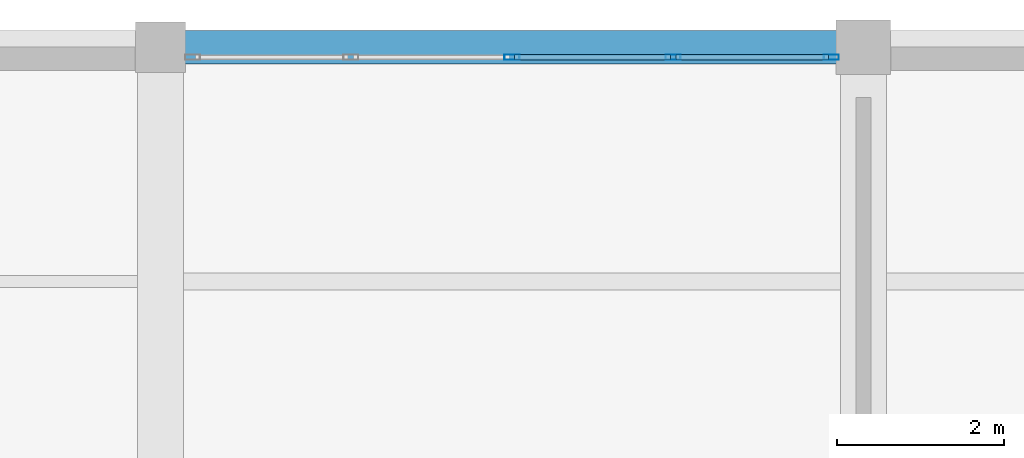
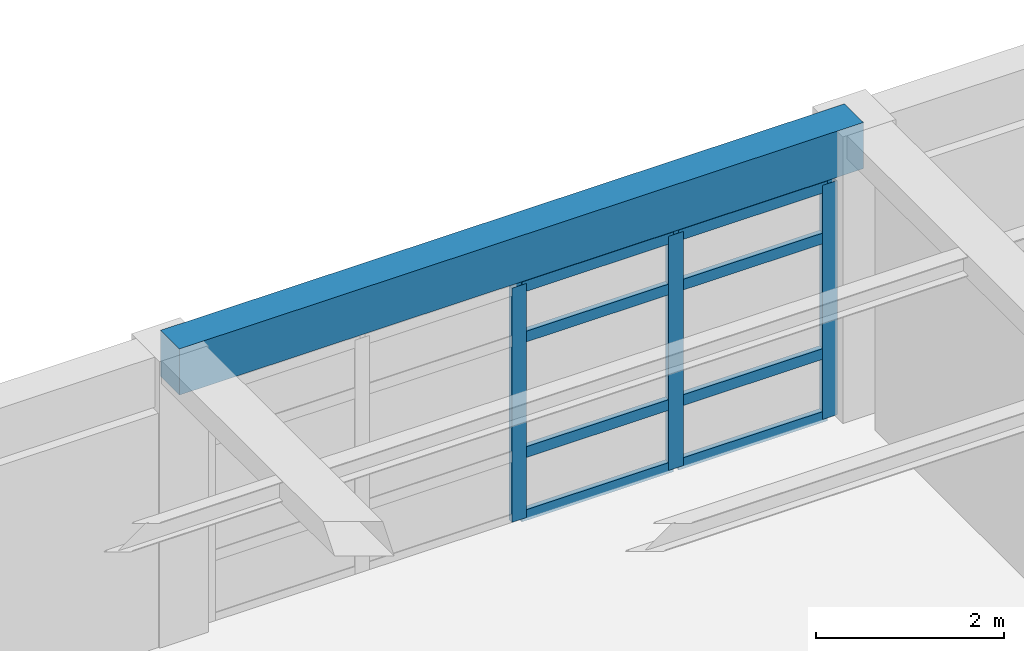
# One storey, part 17 of 25: 11 members, 1 beam, 1 element without a shape of its own.
"""IFC4 building model written with IfcOpenShell, lengths in metres."""

import ifcopenshell
import ifcopenshell.guid

model = None  # the IFC model being written
_history = None  # IfcOwnerHistory: only IFC2X3 demands one
_inside = {}  # id of a spatial element -> (the spatial element, [elements in it])
_under = {}  # id of a project, library or spatial element -> (it, [spatial elements below it])
_declared = {}  # id of a project -> (the project, [libraries it declares])
_typed = {}  # id of a type object -> (the type object, [elements of that type])
_made_of = {}  # id of a material, layer set ... -> (it, [elements and type objects made of it])


def new_model(schema):
    """Start an empty IFC model of exactly this schema.

    Asked for "IFC4X3", IfcOpenShell would pick the latest addendum, in which some entities
    have other attributes; the version numbers below select the first issue.
    IFC2X3 requires an IfcOwnerHistory on every rooted entity: one is made here for all.
    """
    global model, _history
    if schema == "IFC4X3":
        model = ifcopenshell.file(schema_version=(4, 3, 0, 0))
    else:
        model = ifcopenshell.file(schema=schema)
    _inside.clear()
    _under.clear()
    _declared.clear()
    _typed.clear()
    _made_of.clear()
    _history = None
    if model.schema == "IFC2X3":
        org = make("IfcOrganization", Name="unknown")
        user = make(
            "IfcPersonAndOrganization",
            ThePerson=make("IfcPerson", FamilyName="unknown"),
            TheOrganization=org,
        )
        app = make(
            "IfcApplication",
            ApplicationDeveloper=org,
            Version="unknown",
            ApplicationFullName="unknown",
            ApplicationIdentifier="unknown",
        )
        _history = make(
            "IfcOwnerHistory",
            OwningUser=user,
            OwningApplication=app,
            ChangeAction="ADDED",
            CreationDate=0,
        )
    return model


def make(cls, **values):
    """One entity of the class cls with the attributes given. An attribute that is None is left unset."""
    return model.create_entity(
        cls, **{name: value for name, value in values.items() if value is not None}
    )


def rooted(cls, **values):
    """An entity with a GlobalId (a new one), such as an element, a storey or a relation."""
    return make(cls, GlobalId=ifcopenshell.guid.new(), OwnerHistory=_history, **values)


def si_unit(unit_type, name, prefix=None):
    """IfcSIUnit, for example si_unit("LENGTHUNIT", "METRE", prefix="MILLI")."""
    return make("IfcSIUnit", UnitType=unit_type, Prefix=prefix, Name=name)


def assignment(units):
    """IfcUnitAssignment: the units of a project."""
    return None if units is None else make("IfcUnitAssignment", Units=units)


def point(xyz):
    """IfcCartesianPoint."""
    return None if xyz is None else make("IfcCartesianPoint", Coordinates=xyz)


def direction(xyz):
    """IfcDirection."""
    return None if xyz is None else make("IfcDirection", DirectionRatios=xyz)


def frame(location, z_axis=None, x_axis=None):
    """IfcAxis2Placement3D, a coordinate frame: its origin and axes. An axis left out is left unset."""
    return make(
        "IfcAxis2Placement3D",
        Location=point(location),
        Axis=direction(z_axis),
        RefDirection=direction(x_axis),
    )


def frame_2d(location, x_axis=None):
    """IfcAxis2Placement2D, a coordinate frame in the plane: its origin and x axis."""
    return make(
        "IfcAxis2Placement2D", Location=point(location), RefDirection=direction(x_axis)
    )


def origin():
    """The frame at (0, 0, 0) with its axes left unset."""
    return frame((0.0, 0.0, 0.0))


def origin_2d():
    """The frame at (0, 0) in the plane with its x axis left unset."""
    return frame_2d((0.0, 0.0))


def place(relative_to, where):
    """IfcLocalPlacement: puts the frame where relative to a parent placement (None: the world)."""
    return make(
        "IfcLocalPlacement", PlacementRelTo=relative_to, RelativePlacement=where
    )


def context(
    kind, dimensions, precision=None, world=None, true_north=None, identifier=None
):
    """IfcGeometricRepresentationContext, for example the 3D "Model" context."""
    return make(
        "IfcGeometricRepresentationContext",
        ContextIdentifier=identifier,
        ContextType=kind,
        CoordinateSpaceDimension=dimensions,
        Precision=precision,
        WorldCoordinateSystem=world,
        TrueNorth=true_north,
    )


def subcontext(parent, identifier, kind, view, scale=None):
    """IfcGeometricRepresentationSubContext, for example "Body" below "Model"."""
    return make(
        "IfcGeometricRepresentationSubContext",
        ContextIdentifier=identifier,
        ContextType=kind,
        ParentContext=parent,
        TargetScale=scale,
        TargetView=view,
    )


def project(units=None, contexts=None):
    """IfcProject with its units and contexts."""
    return rooted(
        "IfcProject",
        Name="project",
        RepresentationContexts=contexts,
        UnitsInContext=assignment(units),
    )


def spatial(cls, under=None, at=None, **own):
    """A site, building, storey or space (cls), placed at a placement, below another one or the project."""
    s = rooted(cls, ObjectPlacement=at, **own)
    if under is not None:
        _under.setdefault(under.id(), (under, []))[1].append(s)
    return s


def profile(cls, at=None, kind="AREA", **sizes):
    """A parametric profile (cls). Its sizes go by their IFC names, for example OverallWidth=200.0."""
    return make(cls, ProfileType=kind, Position=at, **sizes)


def rectangle(**sizes):
    """IfcRectangleProfileDef."""
    return profile("IfcRectangleProfileDef", **sizes)


def hollow_rectangle(**sizes):
    """IfcRectangleHollowProfileDef."""
    return profile("IfcRectangleHollowProfileDef", **sizes)


def extrude(swept, where, along, depth):
    """IfcExtrudedAreaSolid: the profile swept, set in the frame where, extruded along a direction by depth."""
    return make(
        "IfcExtrudedAreaSolid",
        SweptArea=swept,
        Position=where,
        ExtrudedDirection=direction(along),
        Depth=depth,
    )


def shape(context_of_items, identifier, shape_type, items):
    """IfcShapeRepresentation: the items that make up one representation, for example the "Body"."""
    return make(
        "IfcShapeRepresentation",
        ContextOfItems=context_of_items,
        RepresentationIdentifier=identifier,
        RepresentationType=shape_type,
        Items=items,
    )


def material(Name=None, Category=None):
    """IfcMaterial."""
    return make("IfcMaterial", Name=Name, Category=Category)


def material_profile(
    of_material, cross_section, Name=None, Category=None, Priority=None
):
    """IfcMaterialProfile: a cross section and its material."""
    return make(
        "IfcMaterialProfile",
        Name=Name,
        Material=of_material,
        Profile=cross_section,
        Priority=Priority,
        Category=Category,
    )


def profile_set(profiles, Name=None, composite=None):
    """IfcMaterialProfileSet."""
    return make(
        "IfcMaterialProfileSet",
        Name=Name,
        MaterialProfiles=profiles,
        CompositeProfile=composite,
    )


def made_of(thing, what):
    """Note that an element or type object is made of a material, layer set ...; save() writes the relation."""
    if what is not None:
        _made_of.setdefault(what.id(), (what, []))[1].append(thing)
    return thing


def type_object(cls, material=None, **own):
    """A type object (cls), such as IfcWallType, which elements share."""
    return made_of(rooted(cls, **own), material)


def element(
    cls,
    number,
    at=None,
    inside=None,
    cuts=None,
    type_object=None,
    material=None,
    context=None,
    identifier="Body",
    shape_type=None,
    held_by="IfcProductDefinitionShape",
    body=None,
    shapes=None,
    **own,
):
    """One element of the class cls, such as IfcWall. Its Tag is "e" and its number.

    at: its placement. inside: the storey or other place that contains it. cuts: it is an
    opening in that element (IfcRelVoidsElement). A single representation is given by context,
    identifier, shape_type and body (its items); several are given by shapes. held_by: the class
    of the entity that holds the representations. save() writes the other relations.
    """
    e = rooted(cls, Tag="e%d" % number, ObjectPlacement=at, **own)
    if body is not None:
        shapes = [shape(context, identifier, shape_type, body)]
    if shapes is not None:
        e.Representation = make(held_by, Representations=shapes)
    if inside is not None:
        _inside.setdefault(inside.id(), (inside, []))[1].append(e)
    if cuts is not None:
        rooted(
            "IfcRelVoidsElement", RelatingBuildingElement=cuts, RelatedOpeningElement=e
        )
    if type_object is not None:
        _typed.setdefault(type_object.id(), (type_object, []))[1].append(e)
    return made_of(e, material)


def aggregate(whole, parts):
    """IfcRelAggregates: a whole, such as a stair, and the parts it consists of."""
    return rooted("IfcRelAggregates", RelatingObject=whole, RelatedObjects=parts)


def save(model, path):
    """Write the relations noted so far, then the file.

    IfcRelAggregates (storeys below a building ...), IfcRelContainedInSpatialStructure (elements
    in a storey), IfcRelDefinesByType, IfcRelAssociatesMaterial and IfcRelDeclares: one each for
    every whole, place, type object, material and project.
    """
    for whole, parts in _under.values():
        aggregate(whole, parts)
    for where, things in _inside.values():
        rooted(
            "IfcRelContainedInSpatialStructure",
            RelatedElements=things,
            RelatingStructure=where,
        )
    for kind, things in _typed.values():
        rooted("IfcRelDefinesByType", RelatedObjects=things, RelatingType=kind)
    for what, things in _made_of.values():
        rooted("IfcRelAssociatesMaterial", RelatedObjects=things, RelatingMaterial=what)
    for by, libraries in _declared.values():
        rooted("IfcRelDeclares", RelatingContext=by, RelatedDefinitions=libraries)
    model.write(path)


model = new_model("IFC4")

# Units and contexts
model_context = context("Model", 3, precision=1e-05, world=origin(), true_north=direction((0.0, 1.0)))
body_context = subcontext(model_context, "Body", "Model", "MODEL_VIEW")
ifc_project = project(units=[si_unit("LENGTHUNIT", "METRE"), si_unit("AREAUNIT", "SQUARE_METRE"), si_unit("VOLUMEUNIT", "CUBIC_METRE"), si_unit("PLANEANGLEUNIT", "RADIAN"), si_unit("MASSUNIT", "GRAM", prefix="KILO")], contexts=[model_context])

# Site, building, storey
site_placement = place(None, origin())
site = spatial("IfcSite", under=ifc_project, at=site_placement, CompositionType="ELEMENT")
building_placement = place(site_placement, origin())
building = spatial("IfcBuilding", under=site, at=building_placement, Name="Almacenes y Pasaje Nevantli", CompositionType="ELEMENT")
storey_placement = place(building_placement, frame((0.0, 0.0, 50.699951171875)))
storey = spatial("IfcBuildingStorey", under=building, at=storey_placement, Name="L12", CompositionType="ELEMENT", Elevation=50.699951171875)

# Beam
ifc_material_1 = material(Name="Concrete C35/45", Category="concrete")
ifc_material_profile_1 = material_profile(ifc_material_1, rectangle(XDim=0.39990234375, YDim=0.60009765625, at=origin_2d()), Name="RC-BM-400x600")
ifc_profile_set_1 = profile_set([ifc_material_profile_1], Name="Concrete C35/45")
beam_type = type_object("IfcBeamType", Name="BM-RC-400x600", PredefinedType="SPANDREL", material=ifc_profile_set_1)
beam_placement = place(storey_placement, frame((126.0, 100.800048828125, 3.420166015625), z_axis=(1.0, 0.0, 0.0), x_axis=(0.0, 1.0, 0.0)))
element("IfcBeam", 1, at=beam_placement, inside=storey, type_object=beam_type, Name="L12 East-West Reinforced Concrete Beam #3912", PredefinedType="SPANDREL", context=body_context, shape_type="SweptSolid", body=[
    extrude(rectangle(XDim=0.39990234375, YDim=0.60009765625, at=origin_2d()), origin(), (0.0, 0.0, 1.0), 8.39990234375),
])

# Curtain wall, members
ifc_material_2 = material(Name="Thermally Broken Aluminium and Low-E Glass", Category="aluminium")
curtain_wall_type = type_object("IfcCurtainWallType", Name="CW-UNIT-TOWER", PredefinedType="USERDEFINED", material=ifc_material_2)
curtain_wall_placement = place(storey_placement, origin())
curtain_wall = element("IfcCurtainWall", 2, at=curtain_wall_placement, inside=storey, type_object=curtain_wall_type, Name="L12 Tower North Boulevard Unitized Curtain Wall Bay 16", ObjectType="UNITIZED CURTAIN WALL", PredefinedType="USERDEFINED")
ifc_material_3 = material(Name="Thermally Broken Anodized Aluminium", Category="aluminium")
ifc_material_profile_2 = material_profile(ifc_material_3, hollow_rectangle(XDim=0.06494140625, YDim=0.179931640625, WallThickness=0.00390625, at=origin_2d()), Name="ALU-MUL-65x180")
ifc_profile_set_2 = profile_set([ifc_material_profile_2], Name="Thermally Broken Anodized Aluminium")
member_type_1 = type_object("IfcMemberType", Name="CW-MUL-200", PredefinedType="MULLION", material=ifc_profile_set_2)
member_1_placement = place(storey_placement, frame((130.199951171875, 100.679931640625, 0.0), z_axis=(0.0, 0.0, 1.0), x_axis=(0.0, 1.0, 0.0)))
member_1 = element("IfcMember", 3, at=member_1_placement, type_object=member_type_1, Name="CW-L12-160 mullion 3", PredefinedType="MULLION", context=body_context, shape_type="SweptSolid", body=[
    extrude(hollow_rectangle(XDim=0.06494140625, YDim=0.179931640625, WallThickness=0.00390625, at=origin_2d()), origin(), (0.0, 0.0, 1.0), 3.0400390625),
])
member_2_placement = place(storey_placement, frame((132.125, 100.679931640625, 0.0), z_axis=(0.0, 0.0, 1.0), x_axis=(0.0, 1.0, 0.0)))
member_2 = element("IfcMember", 4, at=member_2_placement, type_object=member_type_1, Name="CW-L12-160 mullion 4", PredefinedType="MULLION", context=body_context, shape_type="SweptSolid", body=[
    extrude(hollow_rectangle(XDim=0.06494140625, YDim=0.179931640625, WallThickness=0.00390625, at=origin_2d()), origin(), (0.0, 0.0, 1.0), 3.0400390625),
])
member_3_placement = place(storey_placement, frame((134.017578125, 100.679931640625, 0.0), z_axis=(0.0, 0.0, 1.0), x_axis=(0.0, 1.0, 0.0)))
member_3 = element("IfcMember", 5, at=member_3_placement, type_object=member_type_1, Name="CW-L12-160 mullion 5", PredefinedType="MULLION", context=body_context, shape_type="SweptSolid", body=[
    extrude(hollow_rectangle(XDim=0.06494140625, YDim=0.179931640625, WallThickness=0.00390625, at=origin_2d()), origin(), (0.0, 0.0, 1.0), 3.0400390625),
])
ifc_material_4 = material(Name="Thermally Broken Anodized Aluminium", Category="aluminium")
ifc_material_profile_3 = material_profile(ifc_material_4, hollow_rectangle(XDim=0.06494140625, YDim=0.139892578125, WallThickness=0.00390625, at=origin_2d()), Name="ALU-TRN-65x140")
ifc_profile_set_3 = profile_set([ifc_material_profile_3], Name="Thermally Broken Anodized Aluminium")
member_type_2 = type_object("IfcMemberType", Name="CW-TRN-150", PredefinedType="USERDEFINED", material=ifc_profile_set_3)
member_4_placement = place(storey_placement, frame((130.232421875, 100.679931640625, 0.032470703125), z_axis=(1.0, 0.0, 0.0), x_axis=(0.0, 1.0, 0.0)))
member_4 = element("IfcMember", 6, at=member_4_placement, type_object=member_type_2, Name="CW-L12-160 transom 3.1", ObjectType="TRANSOM", PredefinedType="USERDEFINED", context=body_context, shape_type="SweptSolid", body=[
    extrude(hollow_rectangle(XDim=0.06494140625, YDim=0.139892578125, WallThickness=0.00390625, at=origin_2d()), origin(), (0.0, 0.0, 1.0), 1.860107421875),
])
member_5_placement = place(storey_placement, frame((130.232421875, 100.679931640625, 0.85009765625), z_axis=(1.0, 0.0, 0.0), x_axis=(0.0, 1.0, 0.0)))
member_5 = element("IfcMember", 7, at=member_5_placement, type_object=member_type_2, Name="CW-L12-160 transom 3.2", ObjectType="TRANSOM", PredefinedType="USERDEFINED", context=body_context, shape_type="SweptSolid", body=[
    extrude(hollow_rectangle(XDim=0.06494140625, YDim=0.139892578125, WallThickness=0.00390625, at=origin_2d()), origin(), (0.0, 0.0, 1.0), 1.860107421875),
])
member_6_placement = place(storey_placement, frame((130.232421875, 100.679931640625, 2.35009765625), z_axis=(1.0, 0.0, 0.0), x_axis=(0.0, 1.0, 0.0)))
member_6 = element("IfcMember", 8, at=member_6_placement, type_object=member_type_2, Name="CW-L12-160 transom 3.3", ObjectType="TRANSOM", PredefinedType="USERDEFINED", context=body_context, shape_type="SweptSolid", body=[
    extrude(hollow_rectangle(XDim=0.06494140625, YDim=0.139892578125, WallThickness=0.00390625, at=origin_2d()), origin(), (0.0, 0.0, 1.0), 1.860107421875),
])
member_7_placement = place(storey_placement, frame((130.232421875, 100.679931640625, 3.007568359375), z_axis=(1.0, 0.0, 0.0), x_axis=(0.0, 1.0, 0.0)))
member_7 = element("IfcMember", 9, at=member_7_placement, type_object=member_type_2, Name="CW-L12-160 transom 3.4", ObjectType="TRANSOM", PredefinedType="USERDEFINED", context=body_context, shape_type="SweptSolid", body=[
    extrude(hollow_rectangle(XDim=0.06494140625, YDim=0.139892578125, WallThickness=0.00390625, at=origin_2d()), origin(), (0.0, 0.0, 1.0), 1.860107421875),
])
member_8_placement = place(storey_placement, frame((132.157470703125, 100.679931640625, 0.032470703125), z_axis=(1.0, 0.0, 0.0), x_axis=(0.0, 1.0, 0.0)))
member_8 = element("IfcMember", 10, at=member_8_placement, type_object=member_type_2, Name="CW-L12-160 transom 4.1", ObjectType="TRANSOM", PredefinedType="USERDEFINED", context=body_context, shape_type="SweptSolid", body=[
    extrude(hollow_rectangle(XDim=0.06494140625, YDim=0.139892578125, WallThickness=0.00390625, at=origin_2d()), origin(), (0.0, 0.0, 1.0), 1.82763671875),
])
member_9_placement = place(storey_placement, frame((132.157470703125, 100.679931640625, 0.85009765625), z_axis=(1.0, 0.0, 0.0), x_axis=(0.0, 1.0, 0.0)))
member_9 = element("IfcMember", 11, at=member_9_placement, type_object=member_type_2, Name="CW-L12-160 transom 4.2", ObjectType="TRANSOM", PredefinedType="USERDEFINED", context=body_context, shape_type="SweptSolid", body=[
    extrude(hollow_rectangle(XDim=0.06494140625, YDim=0.139892578125, WallThickness=0.00390625, at=origin_2d()), origin(), (0.0, 0.0, 1.0), 1.82763671875),
])
member_10_placement = place(storey_placement, frame((132.157470703125, 100.679931640625, 2.35009765625), z_axis=(1.0, 0.0, 0.0), x_axis=(0.0, 1.0, 0.0)))
member_10 = element("IfcMember", 12, at=member_10_placement, type_object=member_type_2, Name="CW-L12-160 transom 4.3", ObjectType="TRANSOM", PredefinedType="USERDEFINED", context=body_context, shape_type="SweptSolid", body=[
    extrude(hollow_rectangle(XDim=0.06494140625, YDim=0.139892578125, WallThickness=0.00390625, at=origin_2d()), origin(), (0.0, 0.0, 1.0), 1.82763671875),
])
member_11_placement = place(storey_placement, frame((132.157470703125, 100.679931640625, 3.007568359375), z_axis=(1.0, 0.0, 0.0), x_axis=(0.0, 1.0, 0.0)))
member_11 = element("IfcMember", 13, at=member_11_placement, type_object=member_type_2, Name="CW-L12-160 transom 4.4", ObjectType="TRANSOM", PredefinedType="USERDEFINED", context=body_context, shape_type="SweptSolid", body=[
    extrude(hollow_rectangle(XDim=0.06494140625, YDim=0.139892578125, WallThickness=0.00390625, at=origin_2d()), origin(), (0.0, 0.0, 1.0), 1.82763671875),
])
aggregate(curtain_wall, [member_1, member_2, member_3, member_4, member_5, member_6, member_7, member_8, member_9, member_10, member_11])

save(model, "model.ifc")
